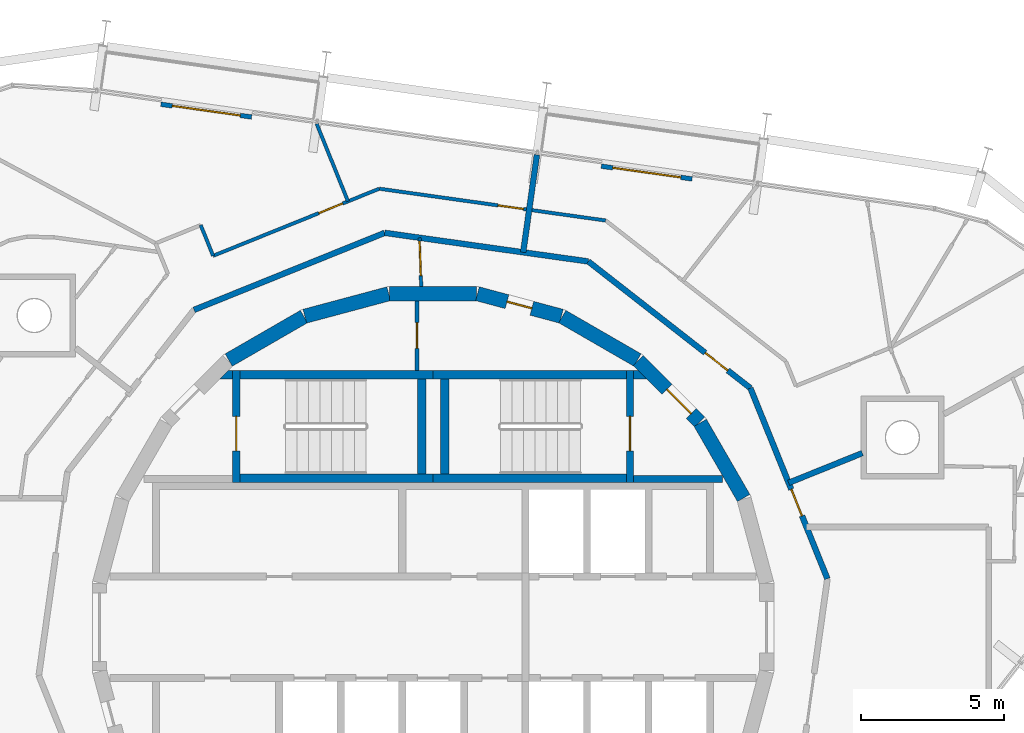
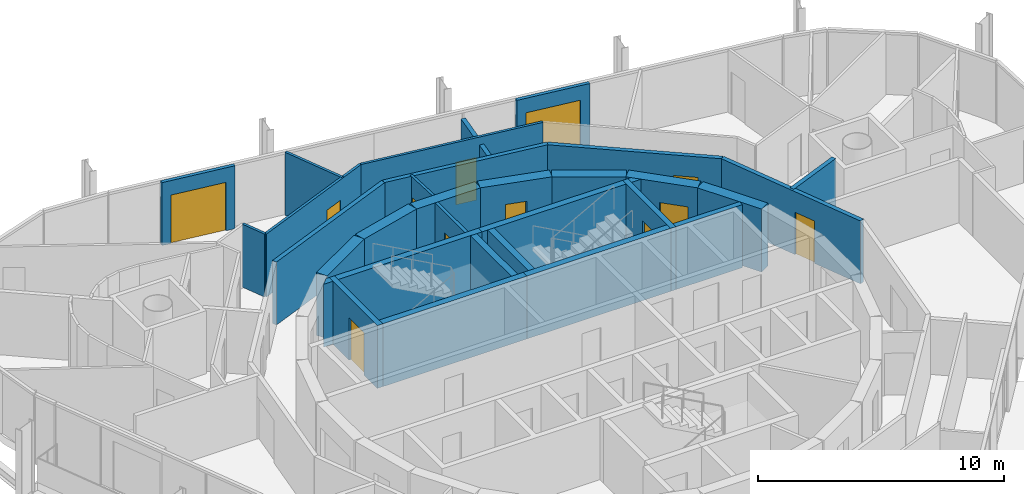
# One storey, part 13 of 15: 32 walls, 12 doors, 12 openings.
"""IFC4 building model written with IfcOpenShell, lengths in metres."""

from ifc_helpers import new_model, si_unit, direction, frame, frame_2d, origin, place, context, subcontext, project, spatial, polyline, rectangle, outline, extrude, material, layer, layer_set, type_object, element, fill, save


model = new_model("IFC4")

# Units and contexts
model_context = context("Model", 3, precision=1e-05, world=origin(), true_north=direction((0.0, 1.0)))
body_context = subcontext(model_context, "Body", "Model", "MODEL_VIEW")
ifc_project = project(units=[si_unit("LENGTHUNIT", "METRE"), si_unit("AREAUNIT", "SQUARE_METRE"), si_unit("VOLUMEUNIT", "CUBIC_METRE"), si_unit("PLANEANGLEUNIT", "RADIAN"), si_unit("MASSUNIT", "GRAM", prefix="KILO")], contexts=[model_context])

# Site, building, storey
site_placement = place(None, origin())
site = spatial("IfcSite", under=ifc_project, at=site_placement, CompositionType="ELEMENT")
building_placement = place(site_placement, origin())
building = spatial("IfcBuilding", under=site, at=building_placement, Name="Spindle Arch Residences", CompositionType="ELEMENT")
storey_placement = place(building_placement, frame((0.0, 0.0, 343.5)))
storey = spatial("IfcBuildingStorey", under=building, at=storey_placement, Name="L88", CompositionType="ELEMENT", Elevation=343.5)

# Wall
ifc_material_1 = material(Name="Concrete C50/60", Category="concrete")
ifc_layer_1 = layer(ifc_material_1, 0.5)
ifc_layer_set_1 = layer_set([ifc_layer_1], Name="Core outline wall 500")
wall_type_1 = type_object("IfcWallType", Name="Core outline wall 500", PredefinedType="SHEAR", material=ifc_layer_set_1)
wall_1_placement = place(storey_placement, frame((10.84521484375, 4.510498046875, 0.0), z_axis=(0.0, 0.0, 1.0), x_axis=(-0.500087131594, 0.865975092491, 0.0)))
element("IfcWall", 1, at=wall_1_placement, inside=storey, type_object=wall_type_1, Name="Core outline wall 8", PredefinedType="SHEAR", context=body_context, shape_type="SweptSolid", body=[
    extrude(rectangle(XDim=3.03271484375, YDim=0.5, at=frame_2d((1.516357421875, 0.0))), origin(), (0.0, 0.0, 1.0), 3.1201171875),
])

# Wall, opening, door
wall_2_placement = place(storey_placement, frame((9.30810546875, 7.163818359375, 0.0), z_axis=(0.0, 0.0, 1.0), x_axis=(-0.707106781187, 0.707106781187, 0.0)))
wall_2 = element("IfcWall", 2, at=wall_2_placement, inside=storey, type_object=wall_type_1, Name="Core outline wall 9", PredefinedType="SHEAR", context=body_context, shape_type="SweptSolid", body=[
    extrude(rectangle(XDim=3.032470703125, YDim=0.5, at=frame_2d((1.51611328125, 0.0))), origin(), (0.0, 0.0, 1.0), 3.1201171875),
])
opening_1_placement = place(wall_2_placement, frame((0.416259765625, 0.0, 0.0)))
opening_1 = element("IfcOpeningElement", 3, at=opening_1_placement, cuts=wall_2, Name="Opening R9B1-AD01", PredefinedType="OPENING", context=body_context, shape_type="SweptSolid", body=[
    extrude(rectangle(XDim=1.199951171875, YDim=2.10009765625, at=frame_2d((0.60009765625, 1.050048828125))), frame((0.0, 0.260009765625, 0.0), z_axis=(0.0, -1.0, 0.0), x_axis=(1.0, 0.0, 0.0)), (0.0, 0.0, 1.0), 0.52001953125),
])
ifc_material_2 = material(Name="Steel, fire-resisting door", Category="steel")
door_type_1 = type_object("IfcDoorType", Name="Stair airlock door 1200x2100", OperationType="SINGLE_SWING_LEFT", PredefinedType="DOOR", material=ifc_material_2)
door_1_placement = place(opening_1_placement, origin())
door_1 = element("IfcDoor", 4, at=door_1_placement, inside=storey, type_object=door_type_1, Name="Stair airlock door R9B1-AD01", OperationType="SINGLE_SWING_RIGHT", OverallHeight=2.10009765625, OverallWidth=1.199951171875, PredefinedType="DOOR", context=body_context, shape_type="SweptSolid", body=[
    extrude(rectangle(XDim=1.199951171875, YDim=2.10009765625, at=frame_2d((0.60009765625, 1.050048828125))), frame((0.0, 0.02490234375, 0.0), z_axis=(0.0, -1.0, 0.0), x_axis=(1.0, 0.0, 0.0)), (0.0, 0.0, 1.0), 0.050048828125),
])
fill(opening_1, door_1)

# Wall
wall_3_placement = place(storey_placement, frame((7.13671875, 9.32861328125, 0.0), z_axis=(0.0, 0.0, 1.0), x_axis=(-0.865975092491, 0.500087131594, 0.0)))
element("IfcWall", 5, at=wall_3_placement, inside=storey, type_object=wall_type_1, Name="Core outline wall 10", PredefinedType="SHEAR", context=body_context, shape_type="SweptSolid", body=[
    extrude(rectangle(XDim=3.03271484375, YDim=0.5, at=frame_2d((1.516357421875, 0.0))), origin(), (0.0, 0.0, 1.0), 3.1201171875),
])

# Wall, opening, door
wall_4_placement = place(storey_placement, frame((4.479248046875, 10.858154296875, 0.0), z_axis=(0.0, 0.0, 1.0), x_axis=(-0.965948410781, 0.258734743916, 0.0)))
wall_4 = element("IfcWall", 6, at=wall_4_placement, inside=storey, type_object=wall_type_1, Name="Core outline wall 11", PredefinedType="SHEAR", context=body_context, shape_type="SweptSolid", body=[
    extrude(rectangle(XDim=3.03271484375, YDim=0.5, at=frame_2d((1.516357421875, 0.0))), origin(), (0.0, 0.0, 1.0), 3.1201171875),
])
opening_2_placement = place(wall_4_placement, frame((1.066162109375, 0.0, 0.0)))
opening_2 = element("IfcOpeningElement", 7, at=opening_2_placement, cuts=wall_4, Name="Opening R9B1-WD11", PredefinedType="OPENING", context=body_context, shape_type="SweptSolid", body=[
    extrude(rectangle(XDim=0.89990234375, YDim=2.10009765625, at=frame_2d((0.449951171875, 1.050048828125))), frame((0.0, 0.260009765625, 0.0), z_axis=(0.0, -1.0, 0.0), x_axis=(1.0, 0.0, 0.0)), (0.0, 0.0, 1.0), 0.52001953125),
])
ifc_material_3 = material(Name="Steel, fire-resisting door", Category="steel")
door_type_2 = type_object("IfcDoorType", Name="Service room door 900x2100", OperationType="SINGLE_SWING_LEFT", PredefinedType="DOOR", material=ifc_material_3)
door_2_placement = place(opening_2_placement, origin())
door_2 = element("IfcDoor", 8, at=door_2_placement, inside=storey, type_object=door_type_2, Name="Service room door R9B1-WD11", OperationType="SINGLE_SWING_LEFT", OverallHeight=2.10009765625, OverallWidth=0.89990234375, PredefinedType="DOOR", context=body_context, shape_type="SweptSolid", body=[
    extrude(rectangle(XDim=0.89990234375, YDim=2.10009765625, at=frame_2d((0.449951171875, 1.050048828125))), frame((0.0, 0.02490234375, 0.0), z_axis=(0.0, -1.0, 0.0), x_axis=(1.0, 0.0, 0.0)), (0.0, 0.0, 1.0), 0.050048828125),
])
fill(opening_2, door_2)

# Walls
for number, where, z_axis, x_axis, name in (
    (9, (1.516357421875, 11.647216796875, 0.0), (0.0, 0.0, 1.0), (-1.0, 0.0, 0.0), "Core outline wall 12"),
    (10, (-1.5498046875, 11.642822265625, 0.0), (0.0, 0.0, 1.0), (-0.965948410781, -0.258734743916, 0.0), "Core outline wall 13"),
    (11, (-4.510498046875, 10.84521484375, 0.0), (0.0, 0.0, 1.0), (-0.865975092491, -0.500087131594, 0.0), "Core outline wall 14"),
):
    element("IfcWall", number, at=place(storey_placement, frame(where, z_axis=z_axis, x_axis=x_axis)), inside=storey, type_object=wall_type_1, Name=name, PredefinedType="SHEAR", context=body_context, shape_type="SweptSolid", body=[
        extrude(rectangle(XDim=3.03271484375, YDim=0.5, at=frame_2d((1.516357421875, 0.0))), origin(), (0.0, 0.0, 1.0), 3.1201171875),
    ])

# Wall, opening, door
ifc_material_4 = material(Name="Plasterboard on steel studs", Category="steel")
ifc_layer_2 = layer(ifc_material_4, 0.1201171875)
ifc_layer_set_2 = layer_set([ifc_layer_2], Name="Corridor division wall 120")
wall_type_2 = type_object("IfcWallType", Name="Corridor division wall 120", PredefinedType="PARTITIONING", material=ifc_layer_set_2)
wall_5_placement = place(storey_placement, frame((-0.474853515625, 13.598388671875, 0.0), z_axis=(0.0, 0.0, 1.0), x_axis=(0.034852521429, -0.999392466326, 0.0)))
wall_5 = element("IfcWall", 12, at=wall_5_placement, inside=storey, type_object=wall_type_2, Name="Corridor division wall R9B1-W001", PredefinedType="PARTITIONING", context=body_context, shape_type="SweptSolid", body=[
    extrude(rectangle(XDim=1.7021484375, YDim=0.1201171875, at=frame_2d((0.85107421875, 0.0))), origin(), (0.0, 0.0, 1.0), 3.1201171875),
])
opening_3_placement = place(wall_5_placement, frame((0.1201171875, 0.0, 0.0)))
opening_3 = element("IfcOpeningElement", 13, at=opening_3_placement, cuts=wall_5, Name="Opening R9B1-CD01", PredefinedType="OPENING", context=body_context, shape_type="SweptSolid", body=[
    extrude(rectangle(XDim=1.199951171875, YDim=2.10009765625, at=frame_2d((0.60009765625, 1.050048828125))), frame((0.0, 0.070068359375, 0.0), z_axis=(0.0, -1.0, 0.0), x_axis=(1.0, 0.0, 0.0)), (0.0, 0.0, 1.0), 0.14013671875),
])
ifc_material_5 = material(Name="Steel, fire-resisting door", Category="steel")
door_type_3 = type_object("IfcDoorType", Name="Corridor division door 1200x2100", OperationType="NOTDEFINED", PredefinedType="DOOR", material=ifc_material_5)
door_3_placement = place(opening_3_placement, origin())
door_3 = element("IfcDoor", 14, at=door_3_placement, inside=storey, type_object=door_type_3, Name="Corridor division door R9B1-CD01", OperationType="DOUBLE_DOOR_SINGLE_SWING", OverallHeight=2.10009765625, OverallWidth=1.199951171875, PredefinedType="DOOR", context=body_context, shape_type="SweptSolid", body=[
    extrude(rectangle(XDim=1.199951171875, YDim=2.10009765625, at=frame_2d((0.60009765625, 1.050048828125))), frame((0.0, 0.02490234375, 0.0), z_axis=(0.0, -1.0, 0.0), x_axis=(1.0, 0.0, 0.0)), (0.0, 0.0, 1.0), 0.050048828125),
])
fill(opening_3, door_3)

ifc_material_6 = material(Name="Calcium silicate block, plastered")
ifc_layer_3 = layer(ifc_material_6, 0.199951171875)
ifc_layer_set_3 = layer_set([ifc_layer_3], Name="Corridor wall 200")
wall_type_3 = type_object("IfcWallType", Name="Corridor wall 200", PredefinedType="STANDARD", material=ifc_layer_set_3)
wall_6_placement = place(storey_placement, frame((11.0791015625, 8.348876953125, 0.0), z_axis=(0.0, 0.0, 1.0), x_axis=(-0.78800478687, 0.615669112324, 0.0)))
wall_6 = element("IfcWall", 15, at=wall_6_placement, inside=storey, type_object=wall_type_3, Name="Corridor wall R9B1-W006", PredefinedType="STANDARD", context=body_context, shape_type="SweptSolid", body=[
    extrude(rectangle(XDim=7.18115234375, YDim=0.199951171875, at=frame_2d((3.590576171875, 0.0))), origin(), (0.0, 0.0, 1.0), 3.1201171875),
])
opening_4_placement = place(wall_6_placement, frame((1.0, 0.0, 0.0)))
opening_4 = element("IfcOpeningElement", 16, at=opening_4_placement, cuts=wall_6, Name="Opening R9B1-FD02", PredefinedType="OPENING", context=body_context, shape_type="SweptSolid", body=[
    extrude(rectangle(XDim=1.0, YDim=2.10009765625, at=frame_2d((0.5, 1.050048828125))), frame((0.0, 0.10986328125, 0.0), z_axis=(0.0, -1.0, 0.0), x_axis=(1.0, 0.0, 0.0)), (0.0, 0.0, 1.0), 0.219970703125),
])
ifc_material_7 = material(Name="Timber, fire-resisting door set", Category="wood")
door_type_4 = type_object("IfcDoorType", Name="Flat entrance door 1000x2100", OperationType="NOTDEFINED", PredefinedType="DOOR", material=ifc_material_7)
door_4_placement = place(opening_4_placement, origin())
door_4 = element("IfcDoor", 17, at=door_4_placement, inside=storey, type_object=door_type_4, Name="Flat entrance door R9B1-FD02", OperationType="SINGLE_SWING_LEFT", OverallHeight=2.10009765625, OverallWidth=1.0, PredefinedType="DOOR", context=body_context, shape_type="SweptSolid", body=[
    extrude(rectangle(XDim=1.0, YDim=2.10009765625, at=frame_2d((0.5, 1.050048828125))), frame((0.0, 0.02490234375, 0.0), z_axis=(0.0, -1.0, 0.0), x_axis=(1.0, 0.0, 0.0)), (0.0, 0.0, 1.0), 0.050048828125),
])
fill(opening_4, door_4)

# Walls
wall_7_placement = place(storey_placement, frame((5.42041015625, 12.77001953125, 0.0), z_axis=(0.0, 0.0, 1.0), x_axis=(-0.990270565508, 0.139155334385, 0.0)))
element("IfcWall", 18, at=wall_7_placement, inside=storey, type_object=wall_type_3, Name="Corridor wall R9B1-W007", PredefinedType="STANDARD", context=body_context, shape_type="SweptSolid", body=[
    extrude(rectangle(XDim=7.180908203125, YDim=0.199951171875, at=frame_2d((3.59033203125, 0.0))), origin(), (0.0, 0.0, 1.0), 3.1201171875),
])
wall_8_placement = place(storey_placement, frame((-1.690673828125, 13.769287109375, 0.0), z_axis=(0.0, 0.0, 1.0), x_axis=(-0.92717916932, -0.374618189599, 0.0)))
element("IfcWall", 19, at=wall_8_placement, inside=storey, type_object=wall_type_3, Name="Corridor wall R9B1-W011", PredefinedType="STANDARD", context=body_context, shape_type="SweptSolid", body=[
    extrude(rectangle(XDim=7.18115234375, YDim=0.199951171875, at=frame_2d((3.590576171875, 0.0))), origin(), (0.0, 0.0, 1.0), 3.1201171875),
])

# Wall, opening, door
ifc_material_8 = material(Name="Calcium silicate block, plastered")
ifc_layer_4 = layer(ifc_material_8, 0.199951171875)
ifc_layer_set_4 = layer_set([ifc_layer_4], Name="Fire-lift lobby bay wall 200")
wall_type_4 = type_object("IfcWallType", Name="Fire-lift lobby bay wall 200", PredefinedType="STANDARD", material=ifc_layer_set_4)
wall_9_placement = place(storey_placement, frame((13.769287109375, 1.690673828125, 0.0), z_axis=(0.0, 0.0, 1.0), x_axis=(-0.374618189599, 0.92717916932, 0.0)))
wall_9 = element("IfcWall", 20, at=wall_9_placement, inside=storey, type_object=wall_type_4, Name="Fire-lift lobby bay wall R9B1-W005", PredefinedType="STANDARD", context=body_context, shape_type="SweptSolid", body=[
    extrude(rectangle(XDim=7.18115234375, YDim=0.199951171875, at=frame_2d((3.590576171875, 0.0))), origin(), (0.0, 0.0, 1.0), 3.1201171875),
])
opening_5_placement = place(wall_9_placement, frame((2.37060546875, 0.0, 0.0)))
opening_5 = element("IfcOpeningElement", 21, at=opening_5_placement, cuts=wall_9, Name="Opening R9B1-FD01", PredefinedType="OPENING", context=body_context, shape_type="SweptSolid", body=[
    extrude(rectangle(XDim=1.0, YDim=2.10009765625, at=frame_2d((0.5, 1.050048828125))), frame((0.0, 0.10986328125, 0.0), z_axis=(0.0, -1.0, 0.0), x_axis=(1.0, 0.0, 0.0)), (0.0, 0.0, 1.0), 0.219970703125),
])
door_5_placement = place(opening_5_placement, origin())
door_5 = element("IfcDoor", 22, at=door_5_placement, inside=storey, type_object=door_type_4, Name="Flat entrance door R9B1-FD01", OperationType="SINGLE_SWING_LEFT", OverallHeight=2.10009765625, OverallWidth=1.0, PredefinedType="DOOR", context=body_context, shape_type="SweptSolid", body=[
    extrude(rectangle(XDim=1.0, YDim=2.10009765625, at=frame_2d((0.5, 1.050048828125))), frame((0.0, 0.02490234375, 0.0), z_axis=(0.0, -1.0, 0.0), x_axis=(1.0, 0.0, 0.0)), (0.0, 0.0, 1.0), 0.050048828125),
])
fill(opening_5, door_5)

ifc_material_9 = material(Name="Plasterboard on steel studs", Category="steel")
ifc_layer_5 = layer(ifc_material_9, 0.1201171875)
ifc_layer_set_5 = layer_set([ifc_layer_5], Name="Flat partition 120")
wall_type_5 = type_object("IfcWallType", Name="Flat partition 120", PredefinedType="PARTITIONING", material=ifc_layer_set_5)
wall_10_placement = place(storey_placement, frame((6.02734375, 14.199462890625, 0.0), z_axis=(0.0, 0.0, 1.0), x_axis=(-0.990271593532, 0.139148018469, 0.0)))
wall_10 = element("IfcWall", 23, at=wall_10_placement, inside=storey, type_object=wall_type_5, Name="Flat partition R9B1-W044", PredefinedType="PARTITIONING", context=body_context, shape_type="SweptSolid", body=[
    extrude(rectangle(XDim=7.98486328125, YDim=0.1201171875, at=frame_2d((3.992431640625, 0.0))), origin(), (0.0, 0.0, 1.0), 3.1201171875),
])
opening_6_placement = place(wall_10_placement, frame((2.898193359375, 0.0, 0.0)))
opening_6 = element("IfcOpeningElement", 24, at=opening_6_placement, cuts=wall_10, Name="Opening R9B1-ID08", PredefinedType="OPENING", context=body_context, shape_type="SweptSolid", body=[
    extrude(rectangle(XDim=0.89990234375, YDim=2.10009765625, at=frame_2d((0.449951171875, 1.050048828125))), frame((0.0, 0.070068359375, 0.0), z_axis=(0.0, -1.0, 0.0), x_axis=(1.0, 0.0, 0.0)), (0.0, 0.0, 1.0), 0.14013671875),
])
ifc_material_10 = material(Name="Timber door set", Category="wood")
door_type_5 = type_object("IfcDoorType", Name="Room door 900x2100", OperationType="NOTDEFINED", PredefinedType="DOOR", material=ifc_material_10)
door_6_placement = place(opening_6_placement, origin())
door_6 = element("IfcDoor", 25, at=door_6_placement, inside=storey, type_object=door_type_5, Name="Room door R9B1-ID08", OperationType="SINGLE_SWING_LEFT", OverallHeight=2.10009765625, OverallWidth=0.89990234375, PredefinedType="DOOR", context=body_context, shape_type="SweptSolid", body=[
    extrude(rectangle(XDim=0.89990234375, YDim=2.10009765625, at=frame_2d((0.449951171875, 1.050048828125))), frame((0.0, 0.02490234375, 0.0), z_axis=(0.0, -1.0, 0.0), x_axis=(1.0, 0.0, 0.0)), (0.0, 0.0, 1.0), 0.050048828125),
])
fill(opening_6, door_6)

wall_11_placement = place(storey_placement, frame((-1.8798828125, 15.310546875, 0.0), z_axis=(0.0, 0.0, 1.0), x_axis=(-0.927182163322, -0.374610779365, 0.0)))
wall_11 = element("IfcWall", 26, at=wall_11_placement, inside=storey, type_object=wall_type_5, Name="Flat partition R9B1-W049", PredefinedType="PARTITIONING", context=body_context, shape_type="SweptSolid", body=[
    extrude(rectangle(XDim=6.257080078125, YDim=0.1201171875, at=frame_2d((3.12841796875, 0.0))), origin(), (0.0, 0.0, 1.0), 3.1201171875),
])
opening_7_placement = place(wall_11_placement, frame((1.37744140625, 0.0, 0.0)))
opening_7 = element("IfcOpeningElement", 27, at=opening_7_placement, cuts=wall_11, Name="Opening R9B1-ID09", PredefinedType="OPENING", context=body_context, shape_type="SweptSolid", body=[
    extrude(rectangle(XDim=0.89990234375, YDim=2.10009765625, at=frame_2d((0.449951171875, 1.050048828125))), frame((0.0, 0.070068359375, 0.0), z_axis=(0.0, -1.0, 0.0), x_axis=(1.0, 0.0, 0.0)), (0.0, 0.0, 1.0), 0.14013671875),
])
door_7_placement = place(opening_7_placement, origin())
door_7 = element("IfcDoor", 28, at=door_7_placement, inside=storey, type_object=door_type_5, Name="Room door R9B1-ID09", OperationType="SINGLE_SWING_RIGHT", OverallHeight=2.10009765625, OverallWidth=0.89990234375, PredefinedType="DOOR", context=body_context, shape_type="SweptSolid", body=[
    extrude(rectangle(XDim=0.89990234375, YDim=2.10009765625, at=frame_2d((0.449951171875, 1.050048828125))), frame((0.0, 0.02490234375, 0.0), z_axis=(0.0, -1.0, 0.0), x_axis=(1.0, 0.0, 0.0)), (0.0, 0.0, 1.0), 0.050048828125),
])
fill(opening_7, door_7)

# Walls
wall_12_placement = place(storey_placement, frame((-7.681396484375, 12.966552734375, 0.0), z_axis=(0.0, 0.0, 1.0), x_axis=(-0.374592224266, 0.927189659951, 0.0)))
element("IfcWall", 29, at=wall_12_placement, inside=storey, type_object=wall_type_5, Name="Flat partition R9B1-W050", PredefinedType="PARTITIONING", context=body_context, shape_type="SweptSolid", body=[
    extrude(rectangle(XDim=1.15625, YDim=0.1201171875, at=frame_2d((0.578125, 0.0))), origin(), (0.0, 0.0, 1.0), 3.1201171875),
])
wall_13_placement = place(storey_placement, frame((-4.06494140625, 17.5751953125, 0.0), z_axis=(0.0, 0.0, 1.0), x_axis=(0.374619347258, -0.927178701578, 0.0)))
element("IfcWall", 30, at=wall_13_placement, inside=storey, type_object=wall_type_5, Name="Flat partition R9B1-W054", PredefinedType="PARTITIONING", context=body_context, shape_type="SweptSolid", body=[
    extrude(rectangle(XDim=2.918212890625, YDim=0.1201171875, at=frame_2d((1.458984375, 0.0))), origin(), (0.0, 0.0, 1.0), 3.1201171875),
])
ifc_material_11 = material(Name="Calcium silicate block, plastered")
ifc_layer_6 = layer(ifc_material_11, 0.199951171875)
ifc_layer_set_6 = layer_set([ifc_layer_6], Name="Flat party wall 200")
wall_type_6 = type_object("IfcWallType", Name="Flat party wall 200", PredefinedType="STANDARD", material=ifc_layer_set_6)
wall_14_placement = place(storey_placement, frame((14.9892578125, 6.07861328125, 0.0), z_axis=(0.0, 0.0, 1.0), x_axis=(-0.927203056473, -0.374559063523, 0.0)))
element("IfcWall", 31, at=wall_14_placement, inside=storey, type_object=wall_type_6, Name="Flat party wall R9B1-W022", PredefinedType="STANDARD", context=body_context, shape_type="SweptSolid", body=[
    extrude(rectangle(XDim=2.774658203125, YDim=0.199951171875, at=frame_2d((1.38720703125, 0.0))), origin(), (0.0, 0.0, 1.0), 3.1201171875),
])
ifc_material_12 = material(Name="Calcium silicate block, plastered")
ifc_layer_7 = layer(ifc_material_12, 0.199951171875)
ifc_layer_set_7 = layer_set([ifc_layer_7], Name="Flat party wall 200 under beam 2730")
wall_type_7 = type_object("IfcWallType", Name="Flat party wall 200 under beam 2730", PredefinedType="STANDARD", material=ifc_layer_set_7)
wall_15_placement = place(storey_placement, frame((3.625, 16.494384765625, 0.0), z_axis=(0.0, 0.0, 1.0), x_axis=(-0.139174320859, -0.990267897295, 0.0)))
element("IfcWall", 32, at=wall_15_placement, inside=storey, type_object=wall_type_7, Name="Flat party wall R9B1-W024", PredefinedType="STANDARD", context=body_context, shape_type="SweptSolid", body=[
    extrude(rectangle(XDim=3.438232421875, YDim=0.199951171875, at=frame_2d((1.71923828125, 0.0))), origin(), (0.0, 0.0, 1.0), 2.72998046875),
])

# Wall, opening, door
ifc_material_13 = material(Name="Non-combustible mineral wool insulated aluminium faced external wall (K0)", Category="aluminium")
ifc_layer_8 = layer(ifc_material_13, 0.159912109375)
ifc_layer_set_8 = layer_set([ifc_layer_8], Name="Insulated external wall panel 160")
wall_type_8 = type_object("IfcWallType", Name="Insulated external wall panel 160", PredefinedType="STANDARD", material=ifc_layer_set_8)
wall_16_placement = place(storey_placement, frame((9.04345703125, 15.652099609375, 0.0), z_axis=(0.0, 0.0, 1.0), x_axis=(-0.990270382149, 0.139156639217, 0.0)))
wall_16 = element("IfcWall", 33, at=wall_16_placement, inside=storey, type_object=wall_type_8, Name="External wall L88 bay 6", PredefinedType="STANDARD", context=body_context, shape_type="SweptSolid", body=[
    extrude(rectangle(XDim=3.2001953125, YDim=0.159912109375, at=frame_2d((1.60009765625, 0.0))), origin(), (0.0, 0.0, 1.0), 3.1201171875),
])
opening_8_placement = place(wall_16_placement, frame((0.39990234375, 0.0, 0.0)))
opening_8 = element("IfcOpeningElement", 34, at=opening_8_placement, cuts=wall_16, Name="Opening BD06", PredefinedType="OPENING", context=body_context, shape_type="SweptSolid", body=[
    extrude(rectangle(XDim=2.39990234375, YDim=2.39990234375, at=frame_2d((1.199951171875, 1.199951171875))), frame((0.0, 0.08984375, 0.0), z_axis=(0.0, -1.0, 0.0), x_axis=(1.0, 0.0, 0.0)), (0.0, 0.0, 1.0), 0.179931640625),
])
ifc_material_14 = material(Name="Bronze aluminium frame, tinted double glazing", Category="aluminium")
door_type_6 = type_object("IfcDoorType", Name="Sliding glazed balcony door 2400x2400", OperationType="DOUBLE_DOOR_SLIDING", PredefinedType="DOOR", material=ifc_material_14)
door_8_placement = place(opening_8_placement, origin())
door_8 = element("IfcDoor", 35, at=door_8_placement, inside=storey, type_object=door_type_6, Name="Balcony door BD06", OperationType="DOUBLE_DOOR_SLIDING", OverallHeight=2.39990234375, OverallWidth=2.39990234375, PredefinedType="DOOR", context=body_context, shape_type="SweptSolid", body=[
    extrude(rectangle(XDim=2.39990234375, YDim=2.39990234375, at=frame_2d((1.199951171875, 1.199951171875))), frame((0.0, 0.02490234375, 0.0), z_axis=(0.0, -1.0, 0.0), x_axis=(1.0, 0.0, 0.0)), (0.0, 0.0, 1.0), 0.050048828125),
])
fill(opening_8, door_8)

wall_17_placement = place(storey_placement, frame((-6.336669921875, 17.813720703125, 0.0), z_axis=(0.0, 0.0, 1.0), x_axis=(-0.99026890462, 0.13916715325, 0.0)))
wall_17 = element("IfcWall", 36, at=wall_17_placement, inside=storey, type_object=wall_type_8, Name="External wall L88 bay 8", PredefinedType="STANDARD", context=body_context, shape_type="SweptSolid", body=[
    extrude(rectangle(XDim=3.199951171875, YDim=0.159912109375, at=frame_2d((1.60009765625, 0.0))), origin(), (0.0, 0.0, 1.0), 3.1201171875),
])
opening_9_placement = place(wall_17_placement, frame((0.39990234375, 0.0, 0.0)))
opening_9 = element("IfcOpeningElement", 37, at=opening_9_placement, cuts=wall_17, Name="Opening BD08", PredefinedType="OPENING", context=body_context, shape_type="SweptSolid", body=[
    extrude(rectangle(XDim=2.39990234375, YDim=2.39990234375, at=frame_2d((1.199951171875, 1.199951171875))), frame((0.0, 0.08984375, 0.0), z_axis=(0.0, -1.0, 0.0), x_axis=(1.0, 0.0, 0.0)), (0.0, 0.0, 1.0), 0.179931640625),
])
door_9_placement = place(opening_9_placement, origin())
door_9 = element("IfcDoor", 38, at=door_9_placement, inside=storey, type_object=door_type_6, Name="Balcony door BD08", OperationType="DOUBLE_DOOR_SLIDING", OverallHeight=2.39990234375, OverallWidth=2.39990234375, PredefinedType="DOOR", context=body_context, shape_type="SweptSolid", body=[
    extrude(rectangle(XDim=2.39990234375, YDim=2.39990234375, at=frame_2d((1.199951171875, 1.199951171875))), frame((0.0, 0.02490234375, 0.0), z_axis=(0.0, -1.0, 0.0), x_axis=(1.0, 0.0, 0.0)), (0.0, 0.0, 1.0), 0.050048828125),
])
fill(opening_9, door_9)

ifc_material_15 = material(Name="Concrete C25/30", Category="concrete")
ifc_layer_9 = layer(ifc_material_15, 0.14990234375)
ifc_layer_set_9 = layer_set([ifc_layer_9], Name="Service room partition 150")
wall_type_9 = type_object("IfcWallType", Name="Service room partition 150", PredefinedType="PARTITIONING", material=ifc_layer_set_9)
wall_18_placement = place(storey_placement, frame((-0.5615234375, 8.969970703125, 0.0), z_axis=(0.0, 0.0, 1.0), x_axis=(0.0, 1.0, 0.0)))
wall_18 = element("IfcWall", 39, at=wall_18_placement, inside=storey, type_object=wall_type_9, Name="Core service room partition", PredefinedType="PARTITIONING", context=body_context, shape_type="SweptSolid", body=[
    extrude(rectangle(XDim=2.42724609375, YDim=0.14990234375, at=frame_2d((1.213623046875, 0.0))), origin(), (0.0, 0.0, 1.0), 3.1201171875),
])
opening_10_placement = place(wall_18_placement, frame((0.763671875, 0.0, 0.0)))
opening_10 = element("IfcOpeningElement", 40, at=opening_10_placement, cuts=wall_18, Name="Opening R9B1-WD06", PredefinedType="OPENING", context=body_context, shape_type="SweptSolid", body=[
    extrude(rectangle(XDim=0.89990234375, YDim=2.10009765625, at=frame_2d((0.449951171875, 1.050048828125))), frame((0.0, 0.0849609375, 0.0), z_axis=(0.0, -1.0, 0.0), x_axis=(1.0, 0.0, 0.0)), (0.0, 0.0, 1.0), 0.169921875),
])
door_10_placement = place(opening_10_placement, origin())
door_10 = element("IfcDoor", 41, at=door_10_placement, inside=storey, type_object=door_type_2, Name="Service room door R9B1-WD06", OperationType="SINGLE_SWING_RIGHT", OverallHeight=2.10009765625, OverallWidth=0.89990234375, PredefinedType="DOOR", context=body_context, shape_type="SweptSolid", body=[
    extrude(rectangle(XDim=0.89990234375, YDim=2.10009765625, at=frame_2d((0.449951171875, 1.050048828125))), frame((0.0, 0.02490234375, 0.0), z_axis=(0.0, -1.0, 0.0), x_axis=(1.0, 0.0, 0.0)), (0.0, 0.0, 1.0), 0.050048828125),
])
fill(opening_10, door_10)

# Walls
ifc_material_16 = material(Name="Concrete C40/50", Category="concrete")
ifc_layer_10 = layer(ifc_material_16, 0.25)
ifc_layer_set_10 = layer_set([ifc_layer_10], Name="Stair airlock wall 250")
wall_type_10 = type_object("IfcWallType", Name="Stair airlock wall 250", PredefinedType="SHEAR", material=ifc_layer_set_10)
wall_19_placement = place(storey_placement, frame((7.0, 5.175048828125, 0.0), z_axis=(0.0, 0.0, 1.0), x_axis=(1.0, 0.0, 0.0)))
element("IfcWall", 42, at=wall_19_placement, inside=storey, type_object=wall_type_10, Name="Stair ST-1 airlock wall S", PredefinedType="SHEAR", context=body_context, shape_type="SweptSolid", body=[
    extrude(rectangle(XDim=3.10009765625, YDim=0.25, at=frame_2d((1.550048828125, 0.0))), origin(), (0.0, 0.0, 1.0), 3.1201171875),
])
ifc_material_17 = material(Name="Concrete C40/50", Category="concrete")
wall_type_11 = type_object("IfcWallType", Name="Stair airlock wall profile", PredefinedType="SHEAR", material=ifc_material_17)
wall_20_placement = place(storey_placement, origin())
element("IfcWall", 43, at=wall_20_placement, inside=storey, type_object=wall_type_11, Name="Stair ST-1 airlock wall N", PredefinedType="SHEAR", context=body_context, shape_type="SweptSolid", body=[
    extrude(outline(polyline([(7.4482421875, 8.669921875), (7.0, 8.669921875), (7.0, 8.969970703125), (7.148193359375, 8.969970703125), (7.4482421875, 8.669921875)])), origin(), (0.0, 0.0, 1.0), 3.1201171875),
])
wall_21_placement = place(storey_placement, origin())
element("IfcWall", 44, at=wall_21_placement, inside=storey, type_object=wall_type_11, Name="Stair ST-2 airlock wall N", PredefinedType="SHEAR", context=body_context, shape_type="SweptSolid", body=[
    extrude(outline(polyline([(-7.148193359375, 8.969970703125), (-7.0, 8.969970703125), (-7.0, 8.669921875), (-7.4482421875, 8.669921875), (-7.148193359375, 8.969970703125)])), origin(), (0.0, 0.0, 1.0), 3.1201171875),
])

# Wall, opening, door
ifc_material_18 = material(Name="Concrete C50/60", Category="concrete")
ifc_layer_11 = layer(ifc_material_18, 0.25)
ifc_layer_set_11 = layer_set([ifc_layer_11], Name="Stair enclosure wall 250")
wall_type_12 = type_object("IfcWallType", Name="Stair enclosure wall 250", PredefinedType="SHEAR", material=ifc_layer_set_11)
wall_22_placement = place(storey_placement, frame((6.875, 5.050048828125, 0.0), z_axis=(0.0, 0.0, 1.0), x_axis=(0.0, 1.0, 0.0)))
wall_22 = element("IfcWall", 45, at=wall_22_placement, inside=storey, type_object=wall_type_12, Name="Stair ST-1 door wall", PredefinedType="SHEAR", context=body_context, shape_type="SweptSolid", body=[
    extrude(rectangle(XDim=3.919921875, YDim=0.25, at=frame_2d((1.9599609375, 0.0))), origin(), (0.0, 0.0, 1.0), 3.1201171875),
])
opening_11_placement = place(wall_22_placement, frame((1.110107421875, 0.0, 0.0)))
opening_11 = element("IfcOpeningElement", 46, at=opening_11_placement, cuts=wall_22, Name="Opening R9B1-SD01", PredefinedType="OPENING", context=body_context, shape_type="SweptSolid", body=[
    extrude(rectangle(XDim=1.199951171875, YDim=2.10009765625, at=frame_2d((0.60009765625, 1.050048828125))), frame((0.0, 0.135009765625, 0.0), z_axis=(0.0, -1.0, 0.0), x_axis=(1.0, 0.0, 0.0)), (0.0, 0.0, 1.0), 0.27001953125),
])
ifc_material_19 = material(Name="Steel, fire-resisting door", Category="steel")
door_type_7 = type_object("IfcDoorType", Name="Stair door 1200x2100", OperationType="SINGLE_SWING_RIGHT", PredefinedType="DOOR", material=ifc_material_19)
door_11_placement = place(opening_11_placement, origin())
door_11 = element("IfcDoor", 47, at=door_11_placement, inside=storey, type_object=door_type_7, Name="Stair door R9B1-SD01", OperationType="SINGLE_SWING_LEFT", OverallHeight=2.10009765625, OverallWidth=1.199951171875, PredefinedType="DOOR", context=body_context, shape_type="SweptSolid", body=[
    extrude(rectangle(XDim=1.199951171875, YDim=2.10009765625, at=frame_2d((0.60009765625, 1.050048828125))), frame((0.0, 0.02490234375, 0.0), z_axis=(0.0, -1.0, 0.0), x_axis=(1.0, 0.0, 0.0)), (0.0, 0.0, 1.0), 0.050048828125),
])
fill(opening_11, door_11)

wall_23_placement = place(storey_placement, frame((-6.875, 8.969970703125, 0.0), z_axis=(0.0, 0.0, 1.0), x_axis=(0.0, -1.0, 0.0)))
wall_23 = element("IfcWall", 48, at=wall_23_placement, inside=storey, type_object=wall_type_12, Name="Stair ST-2 door wall", PredefinedType="SHEAR", context=body_context, shape_type="SweptSolid", body=[
    extrude(rectangle(XDim=3.919921875, YDim=0.25, at=frame_2d((1.9599609375, 0.0))), origin(), (0.0, 0.0, 1.0), 3.1201171875),
])
opening_12_placement = place(wall_23_placement, frame((1.610107421875, 0.0, 0.0)))
opening_12 = element("IfcOpeningElement", 49, at=opening_12_placement, cuts=wall_23, Name="Opening R9B1-SD02", PredefinedType="OPENING", context=body_context, shape_type="SweptSolid", body=[
    extrude(rectangle(XDim=1.199951171875, YDim=2.10009765625, at=frame_2d((0.60009765625, 1.050048828125))), frame((0.0, 0.135009765625, 0.0), z_axis=(0.0, -1.0, 0.0), x_axis=(1.0, 0.0, 0.0)), (0.0, 0.0, 1.0), 0.27001953125),
])
door_12_placement = place(opening_12_placement, origin())
door_12 = element("IfcDoor", 50, at=door_12_placement, inside=storey, type_object=door_type_7, Name="Stair door R9B1-SD02", OperationType="SINGLE_SWING_LEFT", OverallHeight=2.10009765625, OverallWidth=1.199951171875, PredefinedType="DOOR", context=body_context, shape_type="SweptSolid", body=[
    extrude(rectangle(XDim=1.199951171875, YDim=2.10009765625, at=frame_2d((0.60009765625, 1.050048828125))), frame((0.0, 0.02490234375, 0.0), z_axis=(0.0, -1.0, 0.0), x_axis=(1.0, 0.0, 0.0)), (0.0, 0.0, 1.0), 0.050048828125),
])
fill(opening_12, door_12)

# Walls
ifc_material_20 = material(Name="Concrete C50/60", Category="concrete")
ifc_layer_12 = layer(ifc_material_20, 0.300048828125)
ifc_layer_set_12 = layer_set([ifc_layer_12], Name="Stair enclosure wall 300")
wall_type_13 = type_object("IfcWallType", Name="Stair enclosure wall 300", PredefinedType="SHEAR", material=ifc_layer_set_12)
for number, where, z_axis, x_axis, name in (
    (51, (0.0, 5.199951171875, 0.0), (0.0, 0.0, 1.0), (1.0, 0.0, 0.0), "Stair ST-1 enclosure wall S"),
    (52, (0.0, 8.820068359375, 0.0), (0.0, 0.0, 1.0), (1.0, 0.0, 0.0), "Stair ST-1 enclosure wall N"),
):
    element("IfcWall", number, at=place(storey_placement, frame(where, z_axis=z_axis, x_axis=x_axis)), inside=storey, type_object=wall_type_13, Name=name, PredefinedType="SHEAR", context=body_context, shape_type="SweptSolid", body=[
        extrude(rectangle(XDim=6.75, YDim=0.300048828125, at=frame_2d((3.375, 0.0))), origin(), (0.0, 0.0, 1.0), 3.1201171875),
    ])
wall_24_placement = place(storey_placement, frame((0.39990234375, 5.35009765625, 0.0), z_axis=(0.0, 0.0, 1.0), x_axis=(0.0, 1.0, 0.0)))
element("IfcWall", 53, at=wall_24_placement, inside=storey, type_object=wall_type_13, Name="Stair ST-1 enclosure wall F", PredefinedType="SHEAR", context=body_context, shape_type="SweptSolid", body=[
    extrude(rectangle(XDim=3.31982421875, YDim=0.300048828125, at=frame_2d((1.659912109375, 0.0))), origin(), (0.0, 0.0, 1.0), 3.1201171875),
])
for number, where, z_axis, x_axis, name in (
    (54, (-6.75, 5.199951171875, 0.0), (0.0, 0.0, 1.0), (1.0, 0.0, 0.0), "Stair ST-2 enclosure wall S"),
    (55, (-6.75, 8.820068359375, 0.0), (0.0, 0.0, 1.0), (1.0, 0.0, 0.0), "Stair ST-2 enclosure wall N"),
):
    element("IfcWall", number, at=place(storey_placement, frame(where, z_axis=z_axis, x_axis=x_axis)), inside=storey, type_object=wall_type_13, Name=name, PredefinedType="SHEAR", context=body_context, shape_type="SweptSolid", body=[
        extrude(rectangle(XDim=6.75, YDim=0.300048828125, at=frame_2d((3.375, 0.0))), origin(), (0.0, 0.0, 1.0), 3.1201171875),
    ])
wall_25_placement = place(storey_placement, frame((-0.39990234375, 5.35009765625, 0.0), z_axis=(0.0, 0.0, 1.0), x_axis=(0.0, 1.0, 0.0)))
element("IfcWall", 56, at=wall_25_placement, inside=storey, type_object=wall_type_13, Name="Stair ST-2 enclosure wall F", PredefinedType="SHEAR", context=body_context, shape_type="SweptSolid", body=[
    extrude(rectangle(XDim=3.31982421875, YDim=0.300048828125, at=frame_2d((1.659912109375, 0.0))), origin(), (0.0, 0.0, 1.0), 3.1201171875),
])

save(model, "model.ifc")
